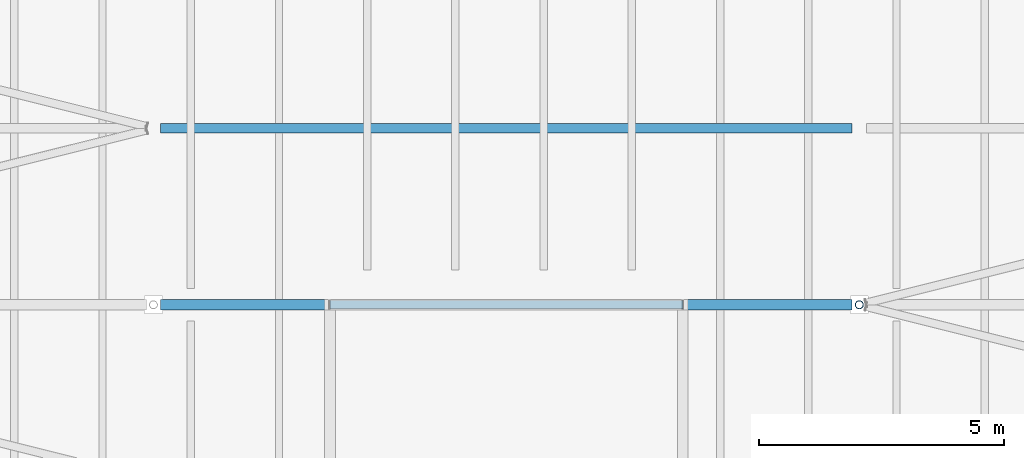
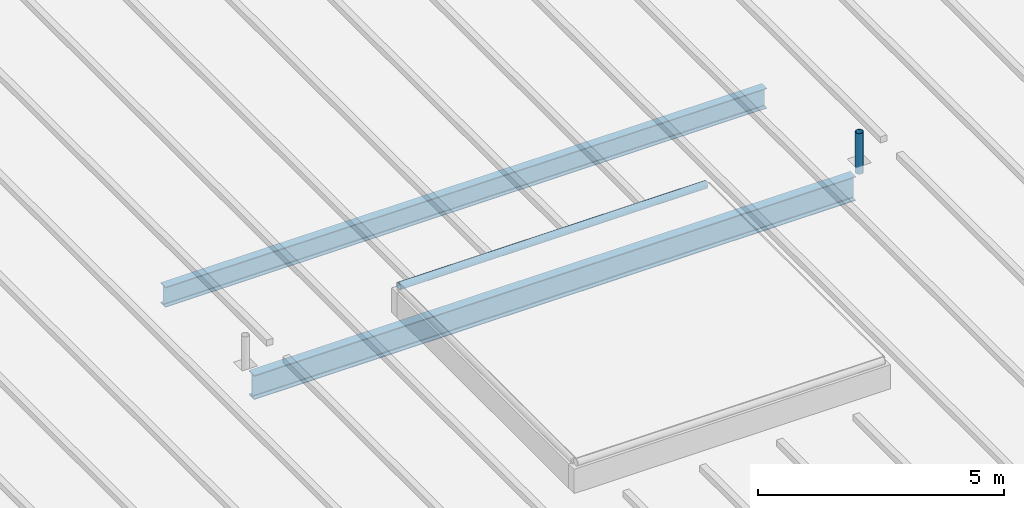
# One storey, part 26 of 120: 2 beams, 2 members.
"""IFC4 building model written with IfcOpenShell, lengths in metres."""

from ifc_helpers import new_model, si_unit, direction, frame, origin, origin_2d, place, context, subcontext, project, spatial, hollow_circle, i_section, extrude, material, material_profile, profile_set, type_object, element, save


model = new_model("IFC4")

# Units and contexts
model_context = context("Model", 3, precision=1e-05, world=origin(), true_north=direction((0.0, 1.0)))
body_context = subcontext(model_context, "Body", "Model", "MODEL_VIEW")
ifc_project = project(units=[si_unit("LENGTHUNIT", "METRE"), si_unit("AREAUNIT", "SQUARE_METRE"), si_unit("VOLUMEUNIT", "CUBIC_METRE"), si_unit("PLANEANGLEUNIT", "RADIAN"), si_unit("MASSUNIT", "GRAM", prefix="KILO")], contexts=[model_context])

# Site, building, storey
site_placement = place(None, origin())
site = spatial("IfcSite", under=ifc_project, at=site_placement, CompositionType="ELEMENT")
building_placement = place(site_placement, origin())
building = spatial("IfcBuilding", under=site, at=building_placement, Name="Kupolbacken Congress Centre", CompositionType="ELEMENT")
storey_placement = place(building_placement, frame((0.0, 0.0, 21.60009765625)))
storey = spatial("IfcBuildingStorey", under=building, at=storey_placement, Name="L06", CompositionType="ELEMENT", Elevation=21.60009765625)

# Beams
ifc_material_1 = material(Name="Steel S355", Category="steel")
ifc_material_profile_1 = material_profile(ifc_material_1, i_section(OverallWidth=0.199951171875, OverallDepth=0.5, WebThickness=0.01025390625, FlangeThickness=0.01611328125, FilletRadius=0.02099609375, at=origin_2d()), Name="IPE 500")
ifc_profile_set_1 = profile_set([ifc_material_profile_1], Name="Steel S355")
beam_type_1 = type_object("IfcBeamType", Name="B09 beam IPE 500", PredefinedType="BEAM", material=ifc_profile_set_1)
beam_1_placement = place(storey_placement, frame((108.14501953125, 86.39990234375, -0.25), z_axis=(1.0, 0.0, 0.0), x_axis=(0.0, 1.0, 0.0)))
element("IfcBeam", 1, at=beam_1_placement, inside=storey, type_object=beam_type_1, Name="HR/P12-02", PredefinedType="BEAM", context=body_context, shape_type="SweptSolid", body=[
    extrude(i_section(OverallWidth=0.199951171875, OverallDepth=0.5, WebThickness=0.01025390625, FlangeThickness=0.01611328125, FilletRadius=0.02099609375, at=origin_2d()), origin(), (0.0, 0.0, 1.0), 14.10986328125),
])
ifc_material_2 = material(Name="Steel S355", Category="steel")
ifc_material_profile_2 = material_profile(ifc_material_2, i_section(OverallWidth=0.219970703125, OverallDepth=0.60009765625, WebThickness=0.011962890625, FlangeThickness=0.01904296875, FilletRadius=0.02392578125, at=origin_2d()), Name="IPE 600")
ifc_profile_set_2 = profile_set([ifc_material_profile_2], Name="Steel S355")
beam_type_2 = type_object("IfcBeamType", Name="B11 beam IPE 600", PredefinedType="BEAM", material=ifc_profile_set_2)
beam_2_placement = place(storey_placement, frame((108.14501953125, 82.800048828125, -0.300048828125), z_axis=(1.0, 0.0, 0.0), x_axis=(0.0, 1.0, 0.0)))
element("IfcBeam", 2, at=beam_2_placement, inside=storey, type_object=beam_type_2, Name="HR/X11-02", PredefinedType="BEAM", context=body_context, shape_type="SweptSolid", body=[
    extrude(i_section(OverallWidth=0.219970703125, OverallDepth=0.60009765625, WebThickness=0.011962890625, FlangeThickness=0.01904296875, FilletRadius=0.02392578125, at=origin_2d()), origin(), (0.0, 0.0, 1.0), 14.10986328125),
])

# Members
ifc_material_3 = material(Name="Steel S355", Category="steel")
ifc_material_profile_3 = material_profile(ifc_material_3, hollow_circle(Radius=0.084228515625, WallThickness=0.008056640625, at=origin_2d()), Name="CHS 168.3 x 8")
ifc_profile_set_3 = profile_set([ifc_material_profile_3], Name="Steel S355")
member_type_1 = type_object("IfcMemberType", Name="M20 transfer truss post CHS 168.3 x 8", PredefinedType="STRUT", material=ifc_profile_set_3)
member_1_placement = place(storey_placement, frame((122.39990234375, 82.800048828125, -0.010009765625), z_axis=(0.0, 0.0, 1.0), x_axis=(1.0, 0.0, 0.0)))
element("IfcMember", 3, at=member_1_placement, inside=storey, type_object=member_type_1, Name="Roof stay anchor post M3N.2", PredefinedType="STRUT", context=body_context, shape_type="SweptSolid", body=[
    extrude(hollow_circle(Radius=0.084228515625, WallThickness=0.008056640625, at=origin_2d()), origin(), (0.0, 0.0, 1.0), 1.010009765625),
])
ifc_material_4 = material(Name="Steel S355", Category="steel")
ifc_material_profile_4 = material_profile(ifc_material_4, hollow_circle(Radius=0.084228515625, WallThickness=0.008056640625, at=origin_2d()), Name="CHS 168.3 x 8")
ifc_profile_set_4 = profile_set([ifc_material_profile_4], Name="Steel S355")
member_type_2 = type_object("IfcMemberType", Name="M21 brace CHS 168.3 x 8", PredefinedType="BRACE", material=ifc_profile_set_4)
member_2_placement = place(storey_placement, frame((111.60009765625, 82.800048828125, 0.944091796875), z_axis=(1.0, 0.0, 0.0), x_axis=(0.0, 1.0, 0.0)))
element("IfcMember", 4, at=member_2_placement, inside=storey, type_object=member_type_2, Name="RD/RL2/FN", PredefinedType="BRACE", context=body_context, shape_type="SweptSolid", body=[
    extrude(hollow_circle(Radius=0.084228515625, WallThickness=0.008056640625, at=origin_2d()), origin(), (0.0, 0.0, 1.0), 7.199951171875),
])

save(model, "model.ifc")
